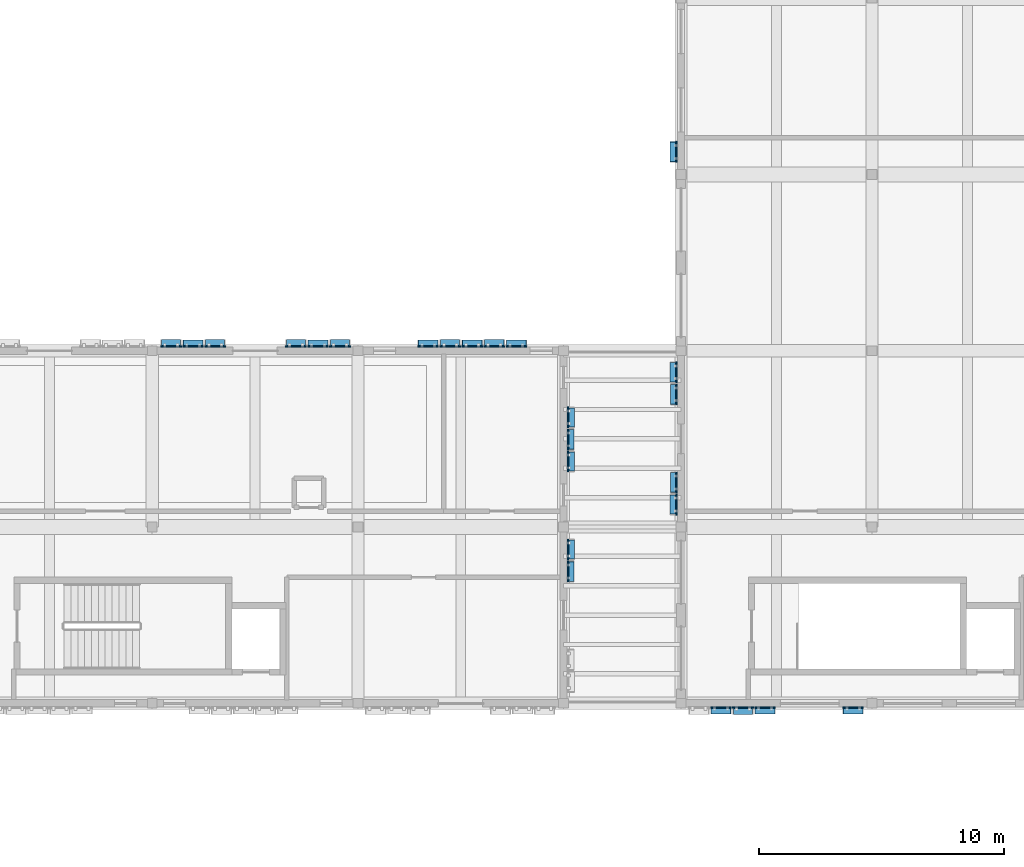
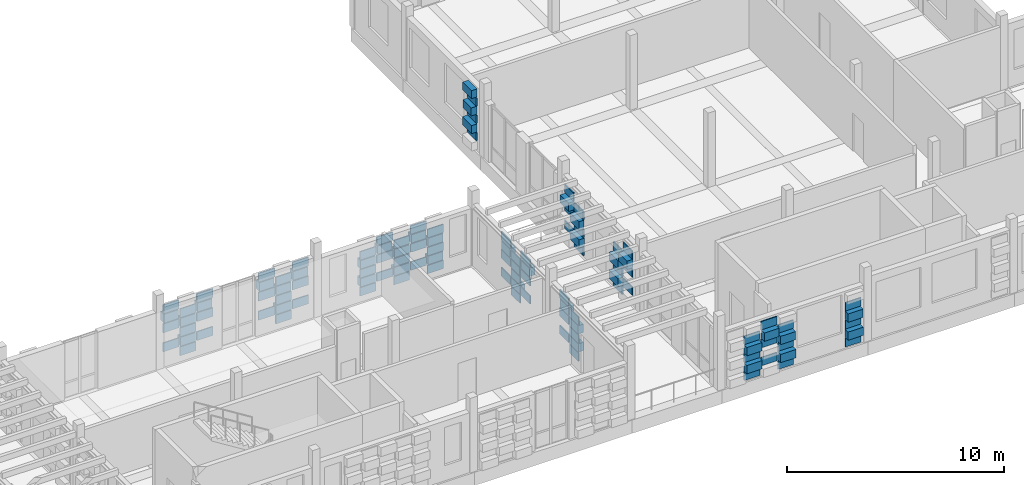
# One storey, part 61 of 99: 114 plates.
"""IFC4 building model written with IfcOpenShell, lengths in metres."""

from ifc_helpers import new_model, si_unit, direction, frame, origin, origin_2d, place, context, subcontext, project, spatial, rectangle, extrude, material, layer, layer_set, type_object, element, save


model = new_model("IFC4")

# Units and contexts
model_context = context("Model", 3, precision=1e-05, world=origin(), true_north=direction((0.0, 1.0)))
body_context = subcontext(model_context, "Body", "Model", "MODEL_VIEW")
ifc_project = project(units=[si_unit("LENGTHUNIT", "METRE"), si_unit("AREAUNIT", "SQUARE_METRE"), si_unit("VOLUMEUNIT", "CUBIC_METRE"), si_unit("PLANEANGLEUNIT", "RADIAN"), si_unit("MASSUNIT", "GRAM", prefix="KILO")], contexts=[model_context])

# Site, building, storey
site_placement = place(None, origin())
site = spatial("IfcSite", under=ifc_project, at=site_placement, CompositionType="ELEMENT")
building_placement = place(site_placement, origin())
building = spatial("IfcBuilding", under=site, at=building_placement, Name="Kahlenmark Community Centre", CompositionType="ELEMENT")
storey_placement = place(building_placement, frame((0.0, 0.0, 5.39990234375)))
storey = spatial("IfcBuildingStorey", under=building, at=storey_placement, Name="L01", CompositionType="ELEMENT", Elevation=5.39990234375)

# Plates
ifc_material_1 = material(Name="Extruded warm terracotta recessed weave tile", Category="masonry")
ifc_layer_1 = layer(ifc_material_1, 0.06005859375)
ifc_layer_set_1 = layer_set([ifc_layer_1], Name="Extruded warm terracotta recessed weave tile")
plate_type_1 = type_object("IfcPlateType", Name="PLT-TC-TC-R10-840X60X468", PredefinedType="SHEET", material=ifc_layer_set_1)
for number, where, z_axis, x_axis, name in (
    (1, (114.8701171875, 23.3798828125, 0.10009765625), (0.0, 0.0, 1.0), (-1.0, 0.0, 0.0), "Basketweave terracotta cassette 1421"),
    (2, (114.8701171875, 23.3798828125, 1.1162109375), (0.0, 0.0, 1.0), (-1.0, 0.0, 0.0), "Basketweave terracotta cassette 1423"),
    (3, (114.8701171875, 23.3798828125, 2.13232421875), (0.0, 0.0, 1.0), (-1.0, 0.0, 0.0), "Basketweave terracotta cassette 1425"),
    (4, (113.070068359375, 23.3798828125, 0.10009765625), (0.0, 0.0, 1.0), (-1.0, 0.0, 0.0), "Basketweave terracotta cassette 1433"),
    (5, (113.070068359375, 23.3798828125, 1.1162109375), (0.0, 0.0, 1.0), (-1.0, 0.0, 0.0), "Basketweave terracotta cassette 1435"),
    (6, (113.070068359375, 23.3798828125, 2.13232421875), (0.0, 0.0, 1.0), (-1.0, 0.0, 0.0), "Basketweave terracotta cassette 1437"),
    (7, (111.27001953125, 23.3798828125, 0.10009765625), (0.0, 0.0, 1.0), (-1.0, 0.0, 0.0), "Basketweave terracotta cassette 1445"),
    (8, (111.27001953125, 23.3798828125, 1.1162109375), (0.0, 0.0, 1.0), (-1.0, 0.0, 0.0), "Basketweave terracotta cassette 1447"),
    (9, (111.27001953125, 23.3798828125, 2.13232421875), (0.0, 0.0, 1.0), (-1.0, 0.0, 0.0), "Basketweave terracotta cassette 1449"),
    (10, (116.97998046875, 14.179931640625, 0.10009765625), (0.0, 0.0, 1.0), (0.0, 1.0, 0.0), "Basketweave terracotta cassette 1511"),
    (11, (116.97998046875, 14.179931640625, 1.1162109375), (0.0, 0.0, 1.0), (0.0, 1.0, 0.0), "Basketweave terracotta cassette 1513"),
    (12, (116.97998046875, 14.179931640625, 2.13232421875), (0.0, 0.0, 1.0), (0.0, 1.0, 0.0), "Basketweave terracotta cassette 1515"),
    (13, (116.97998046875, 19.580078125, 0.10009765625), (0.0, 0.0, 1.0), (0.0, 1.0, 0.0), "Basketweave terracotta cassette 1529"),
    (14, (116.97998046875, 19.580078125, 1.1162109375), (0.0, 0.0, 1.0), (0.0, 1.0, 0.0), "Basketweave terracotta cassette 1531"),
    (15, (116.97998046875, 19.580078125, 2.13232421875), (0.0, 0.0, 1.0), (0.0, 1.0, 0.0), "Basketweave terracotta cassette 1533"),
    (16, (123.22998046875, 8.6201171875, 0.10009765625), (0.0, 0.0, 1.0), (1.0, 0.0, 0.0), "Basketweave terracotta cassette 1547"),
    (17, (123.22998046875, 8.6201171875, 1.1162109375), (0.0, 0.0, 1.0), (1.0, 0.0, 0.0), "Basketweave terracotta cassette 1549"),
    (18, (123.22998046875, 8.6201171875, 2.13232421875), (0.0, 0.0, 1.0), (1.0, 0.0, 0.0), "Basketweave terracotta cassette 1551"),
    (19, (125.030029296875, 8.6201171875, 0.10009765625), (0.0, 0.0, 1.0), (1.0, 0.0, 0.0), "Basketweave terracotta cassette 1559"),
    (20, (125.030029296875, 8.6201171875, 1.1162109375), (0.0, 0.0, 1.0), (1.0, 0.0, 0.0), "Basketweave terracotta cassette 1561"),
    (21, (125.030029296875, 8.6201171875, 2.13232421875), (0.0, 0.0, 1.0), (1.0, 0.0, 0.0), "Basketweave terracotta cassette 1563"),
    (22, (128.6298828125, 8.6201171875, 0.10009765625), (0.0, 0.0, 1.0), (1.0, 0.0, 0.0), "Basketweave terracotta cassette 1565"),
    (23, (128.6298828125, 8.6201171875, 1.1162109375), (0.0, 0.0, 1.0), (1.0, 0.0, 0.0), "Basketweave terracotta cassette 1567"),
    (24, (128.6298828125, 8.6201171875, 2.13232421875), (0.0, 0.0, 1.0), (1.0, 0.0, 0.0), "Basketweave terracotta cassette 1569"),
    (25, (121.419921875, 21.419921875, 0.10009765625), (0.0, 0.0, 1.0), (0.0, -1.0, 0.0), "Basketweave terracotta cassette 1668"),
    (26, (121.419921875, 21.419921875, 1.1162109375), (0.0, 0.0, 1.0), (0.0, -1.0, 0.0), "Basketweave terracotta cassette 1670"),
    (27, (121.419921875, 21.419921875, 2.13232421875), (0.0, 0.0, 1.0), (0.0, -1.0, 0.0), "Basketweave terracotta cassette 1672"),
    (28, (121.419921875, 17.820068359375, 0.10009765625), (0.0, 0.0, 1.0), (0.0, -1.0, 0.0), "Basketweave terracotta cassette 1674"),
    (29, (121.419921875, 17.820068359375, 1.1162109375), (0.0, 0.0, 1.0), (0.0, -1.0, 0.0), "Basketweave terracotta cassette 1676"),
    (30, (121.419921875, 17.820068359375, 2.13232421875), (0.0, 0.0, 1.0), (0.0, -1.0, 0.0), "Basketweave terracotta cassette 1678"),
):
    element("IfcPlate", number, at=place(storey_placement, frame(where, z_axis=z_axis, x_axis=x_axis)), inside=storey, type_object=plate_type_1, Name=name, PredefinedType="SHEET", context=body_context, shape_type="SweptSolid", body=[
        extrude(rectangle(XDim=0.840087890625, YDim=0.06005859375, at=origin_2d()), origin(), (0.0, 0.0, 1.0), 0.468017578125),
    ])
ifc_layer_2 = layer(ifc_material_1, 0.06005859375)
ifc_layer_set_2 = layer_set([ifc_layer_2], Name="Extruded warm terracotta recessed weave tile")
plate_type_2 = type_object("IfcPlateType", Name="PLT-TC-TC-R10-840X60X495", PredefinedType="SHEET", material=ifc_layer_set_2)
for number, where, z_axis, x_axis, name in (
    (31, (106.77001953125, 23.3798828125, 0.10009765625), (0.0, 0.0, 1.0), (-1.0, 0.0, 0.0), "Basketweave terracotta cassette 1391"),
    (32, (106.77001953125, 23.3798828125, 1.169921875), (0.0, 0.0, 1.0), (-1.0, 0.0, 0.0), "Basketweave terracotta cassette 1393"),
    (33, (106.77001953125, 23.3798828125, 2.239990234375), (0.0, 0.0, 1.0), (-1.0, 0.0, 0.0), "Basketweave terracotta cassette 1395"),
    (34, (101.669921875, 23.3798828125, 0.10009765625), (0.0, 0.0, 1.0), (-1.0, 0.0, 0.0), "Basketweave terracotta cassette 1409"),
    (35, (101.669921875, 23.3798828125, 1.169921875), (0.0, 0.0, 1.0), (-1.0, 0.0, 0.0), "Basketweave terracotta cassette 1411"),
    (36, (101.669921875, 23.3798828125, 2.239990234375), (0.0, 0.0, 1.0), (-1.0, 0.0, 0.0), "Basketweave terracotta cassette 1413"),
):
    element("IfcPlate", number, at=place(storey_placement, frame(where, z_axis=z_axis, x_axis=x_axis)), inside=storey, type_object=plate_type_2, Name=name, PredefinedType="SHEET", context=body_context, shape_type="SweptSolid", body=[
        extrude(rectangle(XDim=0.840087890625, YDim=0.06005859375, at=origin_2d()), origin(), (0.0, 0.0, 1.0), 0.4951171875),
    ])
ifc_layer_3 = layer(ifc_material_1, 0.06005859375)
ifc_layer_set_3 = layer_set([ifc_layer_3], Name="Extruded warm terracotta recessed weave tile")
plate_type_3 = type_object("IfcPlateType", Name="PLT-TC-TC-R10-860X60X450", PredefinedType="SHEET", material=ifc_layer_set_3)
for number, where, z_axis, x_axis, name in (
    (37, (121.419921875, 31.320068359375, 0.59033203125), (0.0, 0.0, 1.0), (0.0, -1.0, 0.0), "Basketweave terracotta cassette 1743"),
    (38, (121.419921875, 31.320068359375, 1.5703125), (0.0, 0.0, 1.0), (0.0, -1.0, 0.0), "Basketweave terracotta cassette 1745"),
    (39, (121.419921875, 31.320068359375, 2.55029296875), (0.0, 0.0, 1.0), (0.0, -1.0, 0.0), "Basketweave terracotta cassette 1747"),
):
    element("IfcPlate", number, at=place(storey_placement, frame(where, z_axis=z_axis, x_axis=x_axis)), inside=storey, type_object=plate_type_3, Name=name, PredefinedType="SHEET", context=body_context, shape_type="SweptSolid", body=[
        extrude(rectangle(XDim=0.860107421875, YDim=0.06005859375, at=origin_2d()), origin(), (0.0, 0.0, 1.0), 0.449951171875),
    ])
ifc_layer_4 = layer(ifc_material_1, 0.06005859375)
ifc_layer_set_4 = layer_set([ifc_layer_4], Name="Extruded warm terracotta recessed weave tile")
plate_type_4 = type_object("IfcPlateType", Name="PLT-TC-TC-R10-860X60X468", PredefinedType="SHEET", material=ifc_layer_set_4)
for number, where, z_axis, x_axis, name in (
    (40, (113.969970703125, 23.3798828125, 0.60791015625), (0.0, 0.0, 1.0), (-1.0, 0.0, 0.0), "Basketweave terracotta cassette 1428"),
    (41, (113.969970703125, 23.3798828125, 1.6240234375), (0.0, 0.0, 1.0), (-1.0, 0.0, 0.0), "Basketweave terracotta cassette 1430"),
    (42, (113.969970703125, 23.3798828125, 2.64013671875), (0.0, 0.0, 1.0), (-1.0, 0.0, 0.0), "Basketweave terracotta cassette 1432"),
    (43, (112.169921875, 23.3798828125, 0.60791015625), (0.0, 0.0, 1.0), (-1.0, 0.0, 0.0), "Basketweave terracotta cassette 1440"),
    (44, (112.169921875, 23.3798828125, 1.6240234375), (0.0, 0.0, 1.0), (-1.0, 0.0, 0.0), "Basketweave terracotta cassette 1442"),
    (45, (112.169921875, 23.3798828125, 2.64013671875), (0.0, 0.0, 1.0), (-1.0, 0.0, 0.0), "Basketweave terracotta cassette 1444"),
    (46, (116.97998046875, 15.080078125, 0.60791015625), (0.0, 0.0, 1.0), (0.0, 1.0, 0.0), "Basketweave terracotta cassette 1518"),
    (47, (116.97998046875, 15.080078125, 1.6240234375), (0.0, 0.0, 1.0), (0.0, 1.0, 0.0), "Basketweave terracotta cassette 1520"),
    (48, (116.97998046875, 15.080078125, 2.64013671875), (0.0, 0.0, 1.0), (0.0, 1.0, 0.0), "Basketweave terracotta cassette 1522"),
    (49, (116.97998046875, 18.679931640625, 0.60791015625), (0.0, 0.0, 1.0), (0.0, 1.0, 0.0), "Basketweave terracotta cassette 1524"),
    (50, (116.97998046875, 18.679931640625, 1.6240234375), (0.0, 0.0, 1.0), (0.0, 1.0, 0.0), "Basketweave terracotta cassette 1526"),
    (51, (116.97998046875, 18.679931640625, 2.64013671875), (0.0, 0.0, 1.0), (0.0, 1.0, 0.0), "Basketweave terracotta cassette 1528"),
    (52, (116.97998046875, 20.47998046875, 0.60791015625), (0.0, 0.0, 1.0), (0.0, 1.0, 0.0), "Basketweave terracotta cassette 1536"),
    (53, (116.97998046875, 20.47998046875, 1.6240234375), (0.0, 0.0, 1.0), (0.0, 1.0, 0.0), "Basketweave terracotta cassette 1538"),
    (54, (116.97998046875, 20.47998046875, 2.64013671875), (0.0, 0.0, 1.0), (0.0, 1.0, 0.0), "Basketweave terracotta cassette 1540"),
    (55, (124.1298828125, 8.6201171875, 0.60791015625), (0.0, 0.0, 1.0), (1.0, 0.0, 0.0), "Basketweave terracotta cassette 1554"),
    (56, (124.1298828125, 8.6201171875, 1.6240234375), (0.0, 0.0, 1.0), (1.0, 0.0, 0.0), "Basketweave terracotta cassette 1556"),
    (57, (124.1298828125, 8.6201171875, 2.64013671875), (0.0, 0.0, 1.0), (1.0, 0.0, 0.0), "Basketweave terracotta cassette 1558"),
    (58, (121.419921875, 22.320068359375, 0.60791015625), (0.0, 0.0, 1.0), (0.0, -1.0, 0.0), "Basketweave terracotta cassette 1663"),
    (59, (121.419921875, 22.320068359375, 1.6240234375), (0.0, 0.0, 1.0), (0.0, -1.0, 0.0), "Basketweave terracotta cassette 1665"),
    (60, (121.419921875, 22.320068359375, 2.64013671875), (0.0, 0.0, 1.0), (0.0, -1.0, 0.0), "Basketweave terracotta cassette 1667"),
    (61, (121.419921875, 16.919921875, 0.60791015625), (0.0, 0.0, 1.0), (0.0, -1.0, 0.0), "Basketweave terracotta cassette 1681"),
    (62, (121.419921875, 16.919921875, 1.6240234375), (0.0, 0.0, 1.0), (0.0, -1.0, 0.0), "Basketweave terracotta cassette 1683"),
    (63, (121.419921875, 16.919921875, 2.64013671875), (0.0, 0.0, 1.0), (0.0, -1.0, 0.0), "Basketweave terracotta cassette 1685"),
):
    element("IfcPlate", number, at=place(storey_placement, frame(where, z_axis=z_axis, x_axis=x_axis)), inside=storey, type_object=plate_type_4, Name=name, PredefinedType="SHEET", context=body_context, shape_type="SweptSolid", body=[
        extrude(rectangle(XDim=0.860107421875, YDim=0.06005859375, at=origin_2d()), origin(), (0.0, 0.0, 1.0), 0.468017578125),
    ])
ifc_layer_5 = layer(ifc_material_1, 0.06005859375)
ifc_layer_set_5 = layer_set([ifc_layer_5], Name="Extruded warm terracotta recessed weave tile")
plate_type_5 = type_object("IfcPlateType", Name="PLT-TC-TC-R10-860X60X495", PredefinedType="SHEET", material=ifc_layer_set_5)
for number, where, z_axis, x_axis, name in (
    (64, (107.669921875, 23.3798828125, 0.635009765625), (0.0, 0.0, 1.0), (-1.0, 0.0, 0.0), "Basketweave terracotta cassette 1386"),
    (65, (107.669921875, 23.3798828125, 1.705078125), (0.0, 0.0, 1.0), (-1.0, 0.0, 0.0), "Basketweave terracotta cassette 1388"),
    (66, (107.669921875, 23.3798828125, 2.775146484375), (0.0, 0.0, 1.0), (-1.0, 0.0, 0.0), "Basketweave terracotta cassette 1390"),
    (67, (105.8701171875, 23.3798828125, 0.635009765625), (0.0, 0.0, 1.0), (-1.0, 0.0, 0.0), "Basketweave terracotta cassette 1398"),
    (68, (105.8701171875, 23.3798828125, 1.705078125), (0.0, 0.0, 1.0), (-1.0, 0.0, 0.0), "Basketweave terracotta cassette 1400"),
    (69, (105.8701171875, 23.3798828125, 2.775146484375), (0.0, 0.0, 1.0), (-1.0, 0.0, 0.0), "Basketweave terracotta cassette 1402"),
    (70, (102.570068359375, 23.3798828125, 0.635009765625), (0.0, 0.0, 1.0), (-1.0, 0.0, 0.0), "Basketweave terracotta cassette 1404"),
    (71, (102.570068359375, 23.3798828125, 1.705078125), (0.0, 0.0, 1.0), (-1.0, 0.0, 0.0), "Basketweave terracotta cassette 1406"),
    (72, (102.570068359375, 23.3798828125, 2.775146484375), (0.0, 0.0, 1.0), (-1.0, 0.0, 0.0), "Basketweave terracotta cassette 1408"),
    (73, (100.77001953125, 23.3798828125, 0.635009765625), (0.0, 0.0, 1.0), (-1.0, 0.0, 0.0), "Basketweave terracotta cassette 1416"),
    (74, (100.77001953125, 23.3798828125, 1.705078125), (0.0, 0.0, 1.0), (-1.0, 0.0, 0.0), "Basketweave terracotta cassette 1418"),
    (75, (100.77001953125, 23.3798828125, 2.775146484375), (0.0, 0.0, 1.0), (-1.0, 0.0, 0.0), "Basketweave terracotta cassette 1420"),
):
    element("IfcPlate", number, at=place(storey_placement, frame(where, z_axis=z_axis, x_axis=x_axis)), inside=storey, type_object=plate_type_5, Name=name, PredefinedType="SHEET", context=body_context, shape_type="SweptSolid", body=[
        extrude(rectangle(XDim=0.860107421875, YDim=0.06005859375, at=origin_2d()), origin(), (0.0, 0.0, 1.0), 0.4951171875),
    ])
ifc_material_2 = material(Name="Extruded glazed terracotta weave cassette", Category="masonry")
ifc_layer_6 = layer(ifc_material_2, 0.300048828125)
ifc_layer_set_6 = layer_set([ifc_layer_6], Name="Extruded glazed terracotta weave cassette")
plate_type_6 = type_object("IfcPlateType", Name="PLT-TC-TC-R34-780X300X450", PredefinedType="SHEET", material=ifc_layer_set_6)
plate_1_placement = place(storey_placement, frame((121.300048828125, 31.320068359375, 2.06005859375), z_axis=(0.0, 0.0, 1.0), x_axis=(0.0, -1.0, 0.0)))
element("IfcPlate", 76, at=plate_1_placement, inside=storey, type_object=plate_type_6, Name="Basketweave terracotta cassette 1746", PredefinedType="SHEET", context=body_context, shape_type="SweptSolid", body=[
    extrude(rectangle(XDim=0.780029296875, YDim=0.300048828125, at=origin_2d()), origin(), (0.0, 0.0, 1.0), 0.449951171875),
])
ifc_layer_7 = layer(ifc_material_2, 0.300048828125)
ifc_layer_set_7 = layer_set([ifc_layer_7], Name="Extruded glazed terracotta weave cassette")
plate_type_7 = type_object("IfcPlateType", Name="PLT-TC-TC-R34-780X300X468", PredefinedType="SHEET", material=ifc_layer_set_7)
for number, where, z_axis, x_axis, name in (
    (77, (113.969970703125, 23.5, 2.13232421875), (0.0, 0.0, 1.0), (-1.0, 0.0, 0.0), "Basketweave terracotta cassette 1431"),
    (78, (112.169921875, 23.5, 2.13232421875), (0.0, 0.0, 1.0), (-1.0, 0.0, 0.0), "Basketweave terracotta cassette 1443"),
    (79, (117.10009765625, 15.080078125, 2.13232421875), (0.0, 0.0, 1.0), (0.0, 1.0, 0.0), "Basketweave terracotta cassette 1521"),
    (80, (117.10009765625, 18.679931640625, 2.13232421875), (0.0, 0.0, 1.0), (0.0, 1.0, 0.0), "Basketweave terracotta cassette 1527"),
    (81, (117.10009765625, 20.47998046875, 2.13232421875), (0.0, 0.0, 1.0), (0.0, 1.0, 0.0), "Basketweave terracotta cassette 1539"),
    (82, (124.1298828125, 8.5, 2.13232421875), (0.0, 0.0, 1.0), (1.0, 0.0, 0.0), "Basketweave terracotta cassette 1557"),
    (83, (121.300048828125, 22.320068359375, 2.13232421875), (0.0, 0.0, 1.0), (0.0, -1.0, 0.0), "Basketweave terracotta cassette 1666"),
    (84, (121.300048828125, 16.919921875, 2.13232421875), (0.0, 0.0, 1.0), (0.0, -1.0, 0.0), "Basketweave terracotta cassette 1684"),
):
    element("IfcPlate", number, at=place(storey_placement, frame(where, z_axis=z_axis, x_axis=x_axis)), inside=storey, type_object=plate_type_7, Name=name, PredefinedType="SHEET", context=body_context, shape_type="SweptSolid", body=[
        extrude(rectangle(XDim=0.780029296875, YDim=0.300048828125, at=origin_2d()), origin(), (0.0, 0.0, 1.0), 0.468017578125),
    ])
ifc_layer_8 = layer(ifc_material_2, 0.300048828125)
ifc_layer_set_8 = layer_set([ifc_layer_8], Name="Extruded glazed terracotta weave cassette")
plate_type_8 = type_object("IfcPlateType", Name="PLT-TC-TC-R34-780X300X495", PredefinedType="SHEET", material=ifc_layer_set_8)
for number, where, z_axis, x_axis, name in (
    (85, (107.669921875, 23.5, 2.239990234375), (0.0, 0.0, 1.0), (-1.0, 0.0, 0.0), "Basketweave terracotta cassette 1389"),
    (86, (105.8701171875, 23.5, 2.239990234375), (0.0, 0.0, 1.0), (-1.0, 0.0, 0.0), "Basketweave terracotta cassette 1401"),
    (87, (102.570068359375, 23.5, 2.239990234375), (0.0, 0.0, 1.0), (-1.0, 0.0, 0.0), "Basketweave terracotta cassette 1407"),
    (88, (100.77001953125, 23.5, 2.239990234375), (0.0, 0.0, 1.0), (-1.0, 0.0, 0.0), "Basketweave terracotta cassette 1419"),
):
    element("IfcPlate", number, at=place(storey_placement, frame(where, z_axis=z_axis, x_axis=x_axis)), inside=storey, type_object=plate_type_8, Name=name, PredefinedType="SHEET", context=body_context, shape_type="SweptSolid", body=[
        extrude(rectangle(XDim=0.780029296875, YDim=0.300048828125, at=origin_2d()), origin(), (0.0, 0.0, 1.0), 0.4951171875),
    ])
ifc_layer_9 = layer(ifc_material_2, 0.300048828125)
ifc_layer_set_9 = layer_set([ifc_layer_9], Name="Extruded glazed terracotta weave cassette")
plate_type_9 = type_object("IfcPlateType", Name="PLT-TC-TC-R34-820X300X450", PredefinedType="SHEET", material=ifc_layer_set_9)
plate_2_placement = place(storey_placement, frame((121.300048828125, 31.320068359375, 3.0400390625), z_axis=(0.0, 0.0, 1.0), x_axis=(0.0, -1.0, 0.0)))
element("IfcPlate", 89, at=plate_2_placement, inside=storey, type_object=plate_type_9, Name="Basketweave terracotta cassette 1748", PredefinedType="SHEET", context=body_context, shape_type="SweptSolid", body=[
    extrude(rectangle(XDim=0.820068359375, YDim=0.300048828125, at=origin_2d()), origin(), (0.0, 0.0, 1.0), 0.449951171875),
])
ifc_layer_10 = layer(ifc_material_2, 0.300048828125)
ifc_layer_set_10 = layer_set([ifc_layer_10], Name="Extruded glazed terracotta weave cassette")
plate_type_10 = type_object("IfcPlateType", Name="PLT-TC-TC-R34-840X300X450", PredefinedType="SHEET", material=ifc_layer_set_10)
plate_3_placement = place(storey_placement, frame((121.300048828125, 31.320068359375, 1.080078125), z_axis=(0.0, 0.0, 1.0), x_axis=(0.0, -1.0, 0.0)))
element("IfcPlate", 90, at=plate_3_placement, inside=storey, type_object=plate_type_10, Name="Basketweave terracotta cassette 1744", PredefinedType="SHEET", context=body_context, shape_type="SweptSolid", body=[
    extrude(rectangle(XDim=0.840087890625, YDim=0.300048828125, at=origin_2d()), origin(), (0.0, 0.0, 1.0), 0.449951171875),
])
ifc_layer_11 = layer(ifc_material_2, 0.280029296875)
ifc_layer_set_11 = layer_set([ifc_layer_11], Name="Extruded glazed terracotta weave cassette")
plate_type_11 = type_object("IfcPlateType", Name="PLT-TC-TC-W30-800X280X468", PredefinedType="SHEET", material=ifc_layer_set_11)
for number, where, z_axis, x_axis, name in (
    (91, (114.8701171875, 23.489990234375, 1.6240234375), (0.0, 0.0, 1.0), (-1.0, 0.0, 0.0), "Basketweave terracotta cassette 1424"),
    (92, (113.070068359375, 23.489990234375, 1.6240234375), (0.0, 0.0, 1.0), (-1.0, 0.0, 0.0), "Basketweave terracotta cassette 1436"),
    (93, (111.27001953125, 23.489990234375, 1.6240234375), (0.0, 0.0, 1.0), (-1.0, 0.0, 0.0), "Basketweave terracotta cassette 1448"),
    (94, (117.090087890625, 14.179931640625, 1.6240234375), (0.0, 0.0, 1.0), (0.0, 1.0, 0.0), "Basketweave terracotta cassette 1514"),
    (95, (117.090087890625, 19.580078125, 1.6240234375), (0.0, 0.0, 1.0), (0.0, 1.0, 0.0), "Basketweave terracotta cassette 1532"),
    (96, (123.22998046875, 8.510009765625, 1.6240234375), (0.0, 0.0, 1.0), (1.0, 0.0, 0.0), "Basketweave terracotta cassette 1550"),
    (97, (125.030029296875, 8.510009765625, 1.6240234375), (0.0, 0.0, 1.0), (1.0, 0.0, 0.0), "Basketweave terracotta cassette 1562"),
    (98, (128.6298828125, 8.510009765625, 1.6240234375), (0.0, 0.0, 1.0), (1.0, 0.0, 0.0), "Basketweave terracotta cassette 1568"),
    (99, (121.31005859375, 21.419921875, 1.6240234375), (0.0, 0.0, 1.0), (0.0, -1.0, 0.0), "Basketweave terracotta cassette 1671"),
    (100, (121.31005859375, 17.820068359375, 1.6240234375), (0.0, 0.0, 1.0), (0.0, -1.0, 0.0), "Basketweave terracotta cassette 1677"),
):
    element("IfcPlate", number, at=place(storey_placement, frame(where, z_axis=z_axis, x_axis=x_axis)), inside=storey, type_object=plate_type_11, Name=name, PredefinedType="SHEET", context=body_context, shape_type="SweptSolid", body=[
        extrude(rectangle(XDim=0.800048828125, YDim=0.280029296875, at=origin_2d()), origin(), (0.0, 0.0, 1.0), 0.468017578125),
    ])
ifc_layer_12 = layer(ifc_material_2, 0.280029296875)
ifc_layer_set_12 = layer_set([ifc_layer_12], Name="Extruded glazed terracotta weave cassette")
plate_type_12 = type_object("IfcPlateType", Name="PLT-TC-TC-W30-800X280X495", PredefinedType="SHEET", material=ifc_layer_set_12)
for number, where, z_axis, x_axis, name in (
    (101, (106.77001953125, 23.489990234375, 1.705078125), (0.0, 0.0, 1.0), (-1.0, 0.0, 0.0), "Basketweave terracotta cassette 1394"),
    (102, (101.669921875, 23.489990234375, 1.705078125), (0.0, 0.0, 1.0), (-1.0, 0.0, 0.0), "Basketweave terracotta cassette 1412"),
):
    element("IfcPlate", number, at=place(storey_placement, frame(where, z_axis=z_axis, x_axis=x_axis)), inside=storey, type_object=plate_type_12, Name=name, PredefinedType="SHEET", context=body_context, shape_type="SweptSolid", body=[
        extrude(rectangle(XDim=0.800048828125, YDim=0.280029296875, at=origin_2d()), origin(), (0.0, 0.0, 1.0), 0.4951171875),
    ])
ifc_layer_13 = layer(ifc_material_2, 0.280029296875)
ifc_layer_set_13 = layer_set([ifc_layer_13], Name="Extruded glazed terracotta weave cassette")
plate_type_13 = type_object("IfcPlateType", Name="PLT-TC-TC-W30-820X280X468", PredefinedType="SHEET", material=ifc_layer_set_13)
for number, where, z_axis, x_axis, name in (
    (103, (114.8701171875, 23.489990234375, 0.60791015625), (0.0, 0.0, 1.0), (-1.0, 0.0, 0.0), "Basketweave terracotta cassette 1422"),
    (104, (113.070068359375, 23.489990234375, 0.60791015625), (0.0, 0.0, 1.0), (-1.0, 0.0, 0.0), "Basketweave terracotta cassette 1434"),
    (105, (111.27001953125, 23.489990234375, 0.60791015625), (0.0, 0.0, 1.0), (-1.0, 0.0, 0.0), "Basketweave terracotta cassette 1446"),
    (106, (117.090087890625, 14.179931640625, 0.60791015625), (0.0, 0.0, 1.0), (0.0, 1.0, 0.0), "Basketweave terracotta cassette 1512"),
    (107, (117.090087890625, 19.580078125, 0.60791015625), (0.0, 0.0, 1.0), (0.0, 1.0, 0.0), "Basketweave terracotta cassette 1530"),
    (108, (123.22998046875, 8.510009765625, 0.60791015625), (0.0, 0.0, 1.0), (1.0, 0.0, 0.0), "Basketweave terracotta cassette 1548"),
    (109, (125.030029296875, 8.510009765625, 0.60791015625), (0.0, 0.0, 1.0), (1.0, 0.0, 0.0), "Basketweave terracotta cassette 1560"),
    (110, (128.6298828125, 8.510009765625, 0.60791015625), (0.0, 0.0, 1.0), (1.0, 0.0, 0.0), "Basketweave terracotta cassette 1566"),
    (111, (121.31005859375, 21.419921875, 0.60791015625), (0.0, 0.0, 1.0), (0.0, -1.0, 0.0), "Basketweave terracotta cassette 1669"),
    (112, (121.31005859375, 17.820068359375, 0.60791015625), (0.0, 0.0, 1.0), (0.0, -1.0, 0.0), "Basketweave terracotta cassette 1675"),
):
    element("IfcPlate", number, at=place(storey_placement, frame(where, z_axis=z_axis, x_axis=x_axis)), inside=storey, type_object=plate_type_13, Name=name, PredefinedType="SHEET", context=body_context, shape_type="SweptSolid", body=[
        extrude(rectangle(XDim=0.820068359375, YDim=0.280029296875, at=origin_2d()), origin(), (0.0, 0.0, 1.0), 0.468017578125),
    ])
ifc_layer_14 = layer(ifc_material_2, 0.280029296875)
ifc_layer_set_14 = layer_set([ifc_layer_14], Name="Extruded glazed terracotta weave cassette")
plate_type_14 = type_object("IfcPlateType", Name="PLT-TC-TC-W30-820X280X495", PredefinedType="SHEET", material=ifc_layer_set_14)
for number, where, z_axis, x_axis, name in (
    (113, (106.77001953125, 23.489990234375, 0.635009765625), (0.0, 0.0, 1.0), (-1.0, 0.0, 0.0), "Basketweave terracotta cassette 1392"),
    (114, (101.669921875, 23.489990234375, 0.635009765625), (0.0, 0.0, 1.0), (-1.0, 0.0, 0.0), "Basketweave terracotta cassette 1410"),
):
    element("IfcPlate", number, at=place(storey_placement, frame(where, z_axis=z_axis, x_axis=x_axis)), inside=storey, type_object=plate_type_14, Name=name, PredefinedType="SHEET", context=body_context, shape_type="SweptSolid", body=[
        extrude(rectangle(XDim=0.820068359375, YDim=0.280029296875, at=origin_2d()), origin(), (0.0, 0.0, 1.0), 0.4951171875),
    ])

save(model, "model.ifc")
